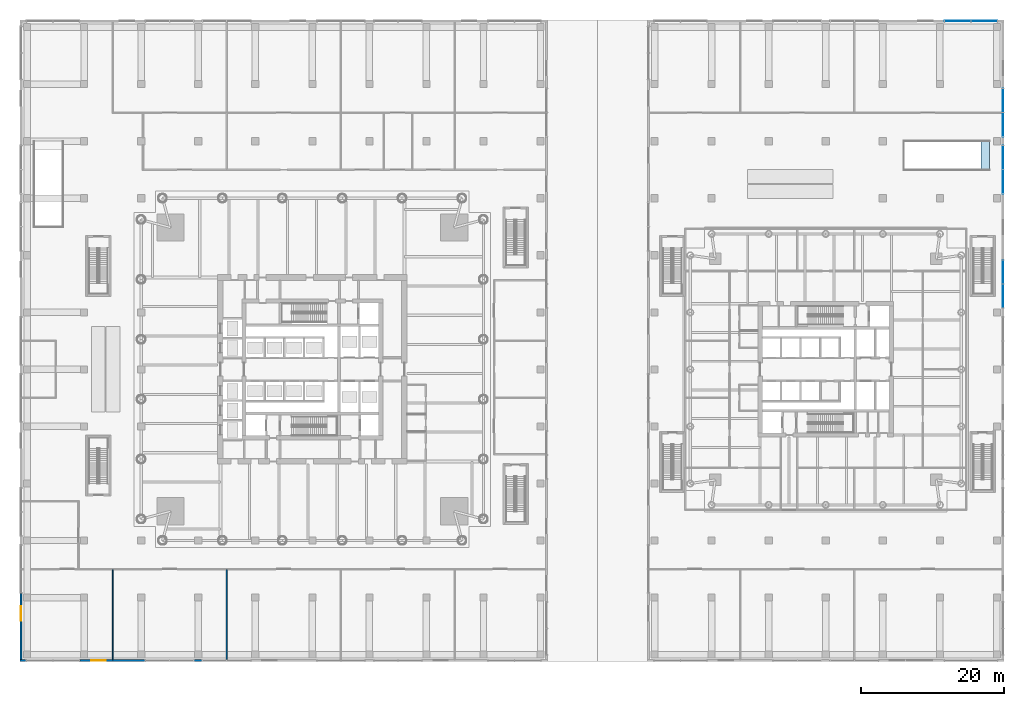
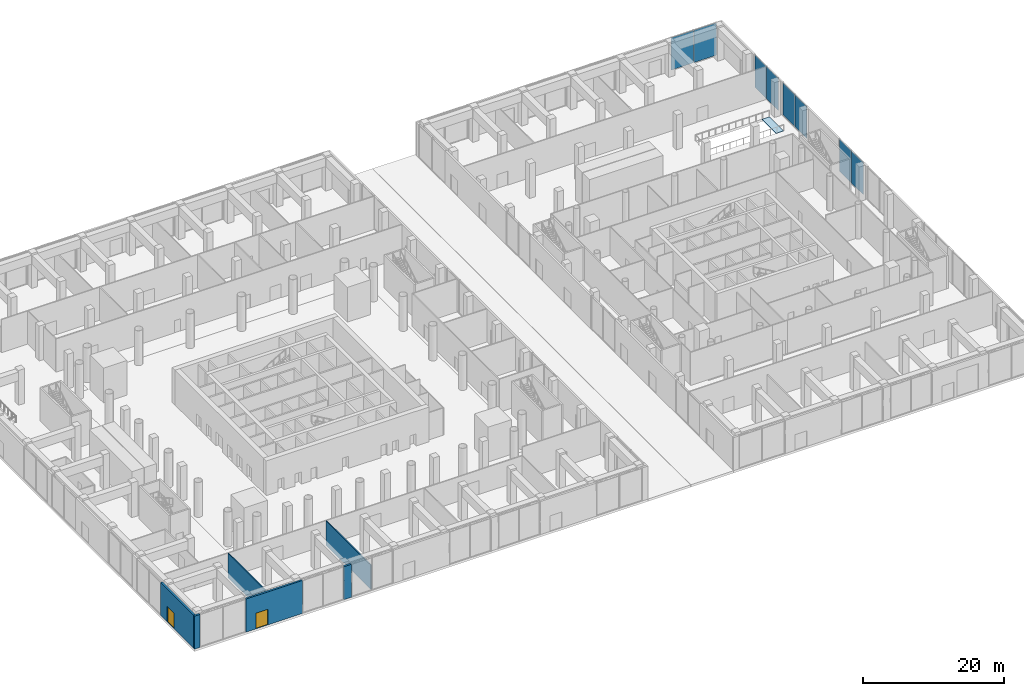
# One storey, part 23 of 39: 9 plates, 6 walls, 2 doors, 2 openings, 4 elements without a shape of their own.
"""IFC4 building model written with IfcOpenShell, lengths in metres."""

from ifc_helpers import new_model, si_unit, direction, frame, frame_2d, origin, origin_2d, place, context, subcontext, project, spatial, rectangle, extrude, material, layer, layer_set, type_object, element, fill, aggregate, save


model = new_model("IFC4")

# Units and contexts
model_context = context("Model", 3, precision=1e-05, world=origin(), true_north=direction((0.0, 1.0)))
body_context = subcontext(model_context, "Body", "Model", "MODEL_VIEW")
ifc_project = project(units=[si_unit("LENGTHUNIT", "METRE"), si_unit("AREAUNIT", "SQUARE_METRE"), si_unit("VOLUMEUNIT", "CUBIC_METRE"), si_unit("PLANEANGLEUNIT", "RADIAN"), si_unit("MASSUNIT", "GRAM", prefix="KILO")], contexts=[model_context])

# Site, building, storey
site_placement = place(None, origin())
site = spatial("IfcSite", under=ifc_project, at=site_placement, CompositionType="ELEMENT")
building_placement = place(site_placement, origin())
building = spatial("IfcBuilding", under=site, at=building_placement, Name="Ostroluk Exchange", CompositionType="ELEMENT")
storey_placement = place(building_placement, origin())
storey = spatial("IfcBuildingStorey", under=building, at=storey_placement, Name="L00", CompositionType="ELEMENT", Elevation=0.0)

# Plate
ifc_material_1 = material(Name="Steel chequer plate", Category="steel")
ifc_layer_1 = layer(ifc_material_1, 0.10009765625)
ifc_layer_set_1 = layer_set([ifc_layer_1], Name="Escalator landing plate")
plate_type_1 = type_object("IfcPlateType", Name="Escalator landing plate", PredefinedType="USERDEFINED", material=ifc_layer_set_1)
plate_1_placement = place(storey_placement, frame((139.39990234375, 76.0, -0.10009765625), z_axis=(0.0, 0.0, 1.0), x_axis=(1.0, 0.0, 0.0)))
element("IfcPlate", 1, at=plate_1_placement, inside=storey, type_object=plate_type_1, Name="Escalator ES4 landing plate", ObjectType="ESCALATOR LANDING PLATE", PredefinedType="USERDEFINED", context=body_context, shape_type="SweptSolid", body=[
    extrude(rectangle(XDim=1.199951171875, YDim=4.0, at=origin_2d()), origin(), (0.0, 0.0, 1.0), 0.10009765625),
])

# Curtain wall, plates
ifc_material_2 = material(Name="Laminated clear glass", Category="glass")
curtain_wall_type = type_object("IfcCurtainWallType", Name="Podium shopfront", PredefinedType="USERDEFINED", material=ifc_material_2)
curtain_wall_1_placement = place(storey_placement, origin())
curtain_wall_1 = element("IfcCurtainWall", 2, at=curtain_wall_1_placement, inside=storey, type_object=curtain_wall_type, Name="Podium east E shopfront 5", ObjectType="STICK SHOPFRONT", PredefinedType="USERDEFINED")
ifc_material_3 = material(Name="Laminated clear glass", Category="glass")
ifc_layer_2 = layer(ifc_material_3, 0.02392578125)
ifc_layer_set_2 = layer_set([ifc_layer_2], Name="Toughened laminated shopfront glass 24")
plate_type_2 = type_object("IfcPlateType", Name="Toughened laminated shopfront glass 24", PredefinedType="CURTAIN_PANEL", material=ifc_layer_set_2)
plate_2_placement = place(storey_placement, frame((141.85009765625, 56.31494140625, 0.06005859375), z_axis=(0.0, 0.0, 1.0), x_axis=(0.0, 1.0, 0.0)))
plate_2 = element("IfcPlate", 3, at=plate_2_placement, type_object=plate_type_2, Name="CW-SF1 panel 1.1", PredefinedType="CURTAIN_PANEL", context=body_context, shape_type="SweptSolid", body=[
    extrude(rectangle(XDim=3.31005859375, YDim=0.02392578125, at=origin_2d()), origin(), (0.0, 0.0, 1.0), 5.580078125),
])
plate_3_placement = place(storey_placement, frame((141.85009765625, 59.68505859375, 0.06005859375), z_axis=(0.0, 0.0, 1.0), x_axis=(0.0, 1.0, 0.0)))
plate_3 = element("IfcPlate", 4, at=plate_3_placement, type_object=plate_type_2, Name="CW-SF1 panel 2.1", PredefinedType="CURTAIN_PANEL", context=body_context, shape_type="SweptSolid", body=[
    extrude(rectangle(XDim=3.31005859375, YDim=0.02392578125, at=origin_2d()), origin(), (0.0, 0.0, 1.0), 5.580078125),
])
aggregate(curtain_wall_1, [plate_2, plate_3])

curtain_wall_2_placement = place(storey_placement, origin())
curtain_wall_2 = element("IfcCurtainWall", 5, at=curtain_wall_2_placement, inside=storey, type_object=curtain_wall_type, Name="Podium east E shopfront 6", ObjectType="STICK SHOPFRONT", PredefinedType="USERDEFINED")
plate_4_placement = place(storey_placement, frame((141.85009765625, 72.31494140625, 0.06005859375), z_axis=(0.0, 0.0, 1.0), x_axis=(0.0, 1.0, 0.0)))
plate_4 = element("IfcPlate", 6, at=plate_4_placement, type_object=plate_type_2, Name="CW-SF1 panel 1.1", PredefinedType="CURTAIN_PANEL", context=body_context, shape_type="SweptSolid", body=[
    extrude(rectangle(XDim=3.31005859375, YDim=0.02392578125, at=origin_2d()), origin(), (0.0, 0.0, 1.0), 5.580078125),
])
plate_5_placement = place(storey_placement, frame((141.85009765625, 75.68505859375, 0.06005859375), z_axis=(0.0, 0.0, 1.0), x_axis=(0.0, 1.0, 0.0)))
plate_5 = element("IfcPlate", 7, at=plate_5_placement, type_object=plate_type_2, Name="CW-SF1 panel 2.1", PredefinedType="CURTAIN_PANEL", context=body_context, shape_type="SweptSolid", body=[
    extrude(rectangle(XDim=3.31005859375, YDim=0.02392578125, at=origin_2d()), origin(), (0.0, 0.0, 1.0), 5.580078125),
])
aggregate(curtain_wall_2, [plate_4, plate_5])

curtain_wall_3_placement = place(storey_placement, origin())
curtain_wall_3 = element("IfcCurtainWall", 8, at=curtain_wall_3_placement, inside=storey, type_object=curtain_wall_type, Name="Podium east E shopfront 7", ObjectType="STICK SHOPFRONT", PredefinedType="USERDEFINED")
plate_6_placement = place(storey_placement, frame((141.85009765625, 80.31494140625, 0.06005859375), z_axis=(0.0, 0.0, 1.0), x_axis=(0.0, 1.0, 0.0)))
plate_6 = element("IfcPlate", 9, at=plate_6_placement, type_object=plate_type_2, Name="CW-SF1 panel 1.1", PredefinedType="CURTAIN_PANEL", context=body_context, shape_type="SweptSolid", body=[
    extrude(rectangle(XDim=3.31005859375, YDim=0.02392578125, at=origin_2d()), origin(), (0.0, 0.0, 1.0), 5.580078125),
])
plate_7_placement = place(storey_placement, frame((141.85009765625, 83.68505859375, 0.06005859375), z_axis=(0.0, 0.0, 1.0), x_axis=(0.0, 1.0, 0.0)))
plate_7 = element("IfcPlate", 10, at=plate_7_placement, type_object=plate_type_2, Name="CW-SF1 panel 2.1", PredefinedType="CURTAIN_PANEL", context=body_context, shape_type="SweptSolid", body=[
    extrude(rectangle(XDim=3.31005859375, YDim=0.02392578125, at=origin_2d()), origin(), (0.0, 0.0, 1.0), 5.580078125),
])
aggregate(curtain_wall_3, [plate_6, plate_7])

curtain_wall_4_placement = place(storey_placement, origin())
curtain_wall_4 = element("IfcCurtainWall", 11, at=curtain_wall_4_placement, inside=storey, type_object=curtain_wall_type, Name="Podium east N shopfront 1", ObjectType="STICK SHOPFRONT", PredefinedType="USERDEFINED")
plate_8_placement = place(storey_placement, frame((139.2099609375, 94.85009765625, 0.06005859375), z_axis=(0.0, 0.0, 1.0), x_axis=(-1.0, 0.0, 0.0)))
plate_8 = element("IfcPlate", 12, at=plate_8_placement, type_object=plate_type_2, Name="CW-SF1 panel 1.1", PredefinedType="CURTAIN_PANEL", context=body_context, shape_type="SweptSolid", body=[
    extrude(rectangle(XDim=3.659912109375, YDim=0.02392578125, at=origin_2d()), origin(), (0.0, 0.0, 1.0), 5.580078125),
])
plate_9_placement = place(storey_placement, frame((135.489990234375, 94.85009765625, 0.06005859375), z_axis=(0.0, 0.0, 1.0), x_axis=(-1.0, 0.0, 0.0)))
plate_9 = element("IfcPlate", 13, at=plate_9_placement, type_object=plate_type_2, Name="CW-SF1 panel 2.1", PredefinedType="CURTAIN_PANEL", context=body_context, shape_type="SweptSolid", body=[
    extrude(rectangle(XDim=3.659912109375, YDim=0.02392578125, at=origin_2d()), origin(), (0.0, 0.0, 1.0), 5.580078125),
])
aggregate(curtain_wall_4, [plate_8, plate_9])

# Wall
ifc_material_4 = material(Name="Limestone", Category="masonry")
ifc_layer_3 = layer(ifc_material_4, 0.300048828125)
ifc_layer_set_3 = layer_set([ifc_layer_3], Name="Limestone facade wall 300")
wall_type_1 = type_object("IfcWallType", Name="Limestone facade wall 300", PredefinedType="SOLIDWALL", material=ifc_layer_set_3)
wall_1_placement = place(storey_placement, frame((4.0, 5.14990234375, 0.0), z_axis=(0.0, 0.0, 1.0), x_axis=(1.0, 0.0, 0.0)))
element("IfcWall", 14, at=wall_1_placement, inside=storey, type_object=wall_type_1, Name="Podium west S wall L00 1a", PredefinedType="SOLIDWALL", context=body_context, shape_type="SweptSolid", body=[
    extrude(rectangle(XDim=0.89990234375, YDim=0.300048828125, at=frame_2d((0.449951171875, 0.0))), origin(), (0.0, 0.0, 1.0), 5.699951171875),
])

# Wall, opening, door
wall_2_placement = place(storey_placement, frame((12.39990234375, 5.14990234375, 0.0), z_axis=(0.0, 0.0, 1.0), x_axis=(1.0, 0.0, 0.0)))
wall_2 = element("IfcWall", 15, at=wall_2_placement, inside=storey, type_object=wall_type_1, Name="Podium west S wall L00 2a", PredefinedType="SOLIDWALL", context=body_context, shape_type="SweptSolid", body=[
    extrude(rectangle(XDim=9.2001953125, YDim=0.300048828125, at=frame_2d((4.60009765625, 0.0))), origin(), (0.0, 0.0, 1.0), 5.699951171875),
])
opening_1_placement = place(wall_2_placement, frame((1.60009765625, 0.0, 0.0)))
opening_1 = element("IfcOpeningElement", 16, at=opening_1_placement, cuts=wall_2, Name="Opening D-E1", PredefinedType="OPENING", context=body_context, shape_type="SweptSolid", body=[
    extrude(rectangle(XDim=2.0, YDim=2.699951171875, at=frame_2d((1.0, 1.35009765625))), frame((0.0, 0.159912109375, 0.0), z_axis=(0.0, -1.0, 0.0), x_axis=(1.0, 0.0, 0.0)), (0.0, 0.0, 1.0), 0.320068359375),
])
ifc_material_5 = material(Name="Bronze framed glazed door", Category="aluminium")
door_type = type_object("IfcDoorType", Name="Entrance double door 2000 x 2700", OperationType="DOUBLE_DOOR_SINGLE_SWING", PredefinedType="DOOR", material=ifc_material_5)
door_1_placement = place(opening_1_placement, origin())
door_1 = element("IfcDoor", 17, at=door_1_placement, inside=storey, type_object=door_type, Name="Podium west entrance S 2", OperationType="DOUBLE_DOOR_SINGLE_SWING", OverallHeight=2.699951171875, OverallWidth=2.0, PredefinedType="DOOR", context=body_context, shape_type="SweptSolid", body=[
    extrude(rectangle(XDim=2.0, YDim=2.699951171875, at=frame_2d((1.0, 1.35009765625))), frame((0.0, 0.02490234375, 0.0), z_axis=(0.0, -1.0, 0.0), x_axis=(1.0, 0.0, 0.0)), (0.0, 0.0, 1.0), 0.050048828125),
])
fill(opening_1, door_1)

# Wall
wall_3_placement = place(storey_placement, frame((28.39990234375, 5.14990234375, 0.0), z_axis=(0.0, 0.0, 1.0), x_axis=(1.0, 0.0, 0.0)))
element("IfcWall", 18, at=wall_3_placement, inside=storey, type_object=wall_type_1, Name="Podium west S wall L00 3a", PredefinedType="SOLIDWALL", context=body_context, shape_type="SweptSolid", body=[
    extrude(rectangle(XDim=1.2001953125, YDim=0.300048828125, at=frame_2d((0.60009765625, 0.0))), origin(), (0.0, 0.0, 1.0), 5.699951171875),
])

# Wall, opening, door
wall_4_placement = place(storey_placement, frame((4.14990234375, 14.60009765625, 0.0), z_axis=(0.0, 0.0, 1.0), x_axis=(0.0, -1.0, 0.0)))
wall_4 = element("IfcWall", 19, at=wall_4_placement, inside=storey, type_object=wall_type_1, Name="Podium west W wall L00 8a", PredefinedType="SOLIDWALL", context=body_context, shape_type="SweptSolid", body=[
    extrude(rectangle(XDim=9.300048828125, YDim=0.300048828125, at=frame_2d((4.64990234375, 0.0))), origin(), (0.0, 0.0, 1.0), 5.699951171875),
])
opening_2_placement = place(wall_4_placement, frame((1.85009765625, 0.0, 0.0)))
opening_2 = element("IfcOpeningElement", 20, at=opening_2_placement, cuts=wall_4, Name="Opening D-E1", PredefinedType="OPENING", context=body_context, shape_type="SweptSolid", body=[
    extrude(rectangle(XDim=2.0, YDim=2.699951171875, at=frame_2d((1.0, 1.35009765625))), frame((0.0, 0.159912109375, 0.0), z_axis=(0.0, -1.0, 0.0), x_axis=(1.0, 0.0, 0.0)), (0.0, 0.0, 1.0), 0.320068359375),
])
door_2_placement = place(opening_2_placement, origin())
door_2 = element("IfcDoor", 21, at=door_2_placement, inside=storey, type_object=door_type, Name="Podium west entrance W 11", OperationType="DOUBLE_DOOR_SINGLE_SWING", OverallHeight=2.699951171875, OverallWidth=2.0, PredefinedType="DOOR", context=body_context, shape_type="SweptSolid", body=[
    extrude(rectangle(XDim=2.0, YDim=2.699951171875, at=frame_2d((1.0, 1.35009765625))), frame((0.0, 0.02490234375, 0.0), z_axis=(0.0, -1.0, 0.0), x_axis=(1.0, 0.0, 0.0)), (0.0, 0.0, 1.0), 0.050048828125),
])
fill(opening_2, door_2)

# Walls
ifc_material_6 = material(Name="Gypsum plasterboard partition", Category="gypsum")
ifc_layer_4 = layer(ifc_material_6, 0.14990234375)
ifc_layer_set_4 = layer_set([ifc_layer_4], Name="Plasterboard partition 150")
wall_type_2 = type_object("IfcWallType", Name="Plasterboard partition 150", PredefinedType="PARTITIONING", material=ifc_layer_set_4)
for number, where, z_axis, x_axis, name in (
    (22, (17.0, 17.925048828125, 0.0), (0.0, 0.0, 1.0), (0.0, -1.0, 0.0), "Partition"),
    (23, (33.0, 17.925048828125, 0.0), (0.0, 0.0, 1.0), (0.0, -1.0, 0.0), "Partition"),
):
    element("IfcWall", number, at=place(storey_placement, frame(where, z_axis=z_axis, x_axis=x_axis)), inside=storey, type_object=wall_type_2, Name=name, PredefinedType="PARTITIONING", context=body_context, shape_type="SweptSolid", body=[
        extrude(rectangle(XDim=12.625, YDim=0.14990234375, at=frame_2d((6.3125, 0.0))), origin(), (0.0, 0.0, 1.0), 4.199951171875),
    ])

save(model, "model.ifc")
